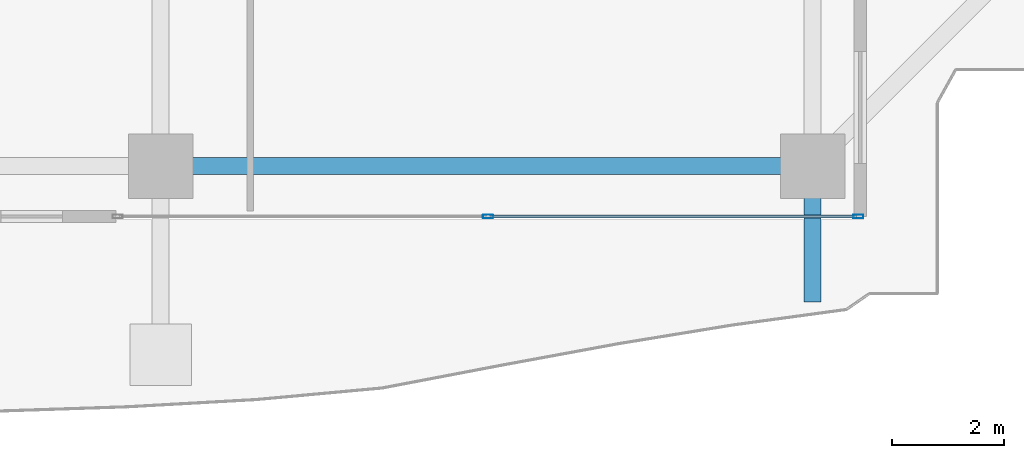
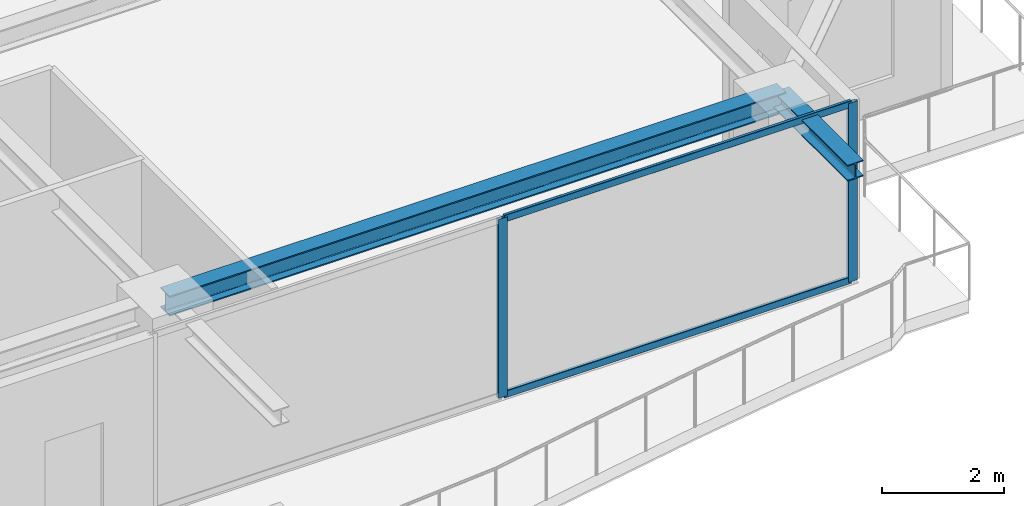
# One storey, part 12 of 36: 4 members, 2 beams, 1 element without a shape of its own.
"""IFC4 building model written with IfcOpenShell, lengths in metres."""

from ifc_helpers import new_model, si_unit, direction, frame, origin, origin_2d, place, context, subcontext, project, spatial, hollow_rectangle, i_section, extrude, source, transform, mapped, material, layer, layer_set, material_profile, profile_set, type_object, element, aggregate, save


model = new_model("IFC4")

# Units and contexts
model_context = context("Model", 3, precision=1e-05, world=origin(), true_north=direction((0.0, 1.0)))
body_context = subcontext(model_context, "Body", "Model", "MODEL_VIEW")
ifc_project = project(units=[si_unit("LENGTHUNIT", "METRE"), si_unit("AREAUNIT", "SQUARE_METRE"), si_unit("VOLUMEUNIT", "CUBIC_METRE"), si_unit("PLANEANGLEUNIT", "RADIAN"), si_unit("MASSUNIT", "GRAM", prefix="KILO")], contexts=[model_context])

# Site, building, storey
site_placement = place(None, origin())
site = spatial("IfcSite", under=ifc_project, at=site_placement, CompositionType="ELEMENT")
building_placement = place(site_placement, origin())
building = spatial("IfcBuilding", under=site, at=building_placement, Name="Serunith Strait Residences", CompositionType="ELEMENT")
storey_placement = place(building_placement, frame((0.0, 0.0, 256.64990234375)))
storey = spatial("IfcBuildingStorey", under=building, at=storey_placement, Name="L64", CompositionType="ELEMENT", Elevation=256.64990234375)

# Beams
ifc_material_1 = material(Name="Steel S355J2", Category="steel")
ifc_material_profile_1 = material_profile(ifc_material_1, i_section(OverallWidth=0.300048828125, OverallDepth=0.39990234375, WebThickness=0.013427734375, FlangeThickness=0.02392578125, FilletRadius=0.027099609375, at=origin_2d()), Name="HEB 400")
ifc_profile_set_1 = profile_set([ifc_material_profile_1], Name="Steel S355J2")
beam_type_1 = type_object("IfcBeamType", Name="BM-HEB400", PredefinedType="BEAM", material=ifc_profile_set_1)
shared_shape_1 = source(origin(), body_context, "Body", "SweptSolid", [
    extrude(i_section(OverallWidth=0.300048828125, OverallDepth=0.39990234375, WebThickness=0.013427734375, FlangeThickness=0.02392578125, FilletRadius=0.027099609375, at=origin_2d()), origin(), (0.0, 0.0, 1.0), 11.650146484375),
])
beam_1_placement = place(storey_placement, frame((36.89990234375, 2.10009765625, 3.38720703125), z_axis=(1.0, 0.0, 0.0), x_axis=(0.0, 1.0, 0.0)))
element("IfcBeam", 1, at=beam_1_placement, inside=storey, type_object=beam_type_1, Name="L64 Perimeter Ring Beam 03", PredefinedType="BEAM", context=body_context, shape_type="MappedRepresentation", body=[
    mapped(shared_shape_1, transform((0.0, 0.0, 0.0), scale=1.0)),
])
ifc_material_profile_2 = material_profile(ifc_material_1, i_section(OverallWidth=0.300048828125, OverallDepth=0.320068359375, WebThickness=0.011474609375, FlangeThickness=0.0205078125, FilletRadius=0.027099609375, at=origin_2d()), Name="HEB 320")
ifc_profile_set_2 = profile_set([ifc_material_profile_2], Name="Steel S355J2")
beam_type_2 = type_object("IfcBeamType", Name="BM-HEB320", PredefinedType="BEAM", material=ifc_profile_set_2)
shared_shape_2 = source(origin(), body_context, "Body", "SweptSolid", [
    extrude(i_section(OverallWidth=0.300048828125, OverallDepth=0.320068359375, WebThickness=0.011474609375, FlangeThickness=0.0205078125, FilletRadius=0.027099609375, at=origin_2d()), origin(), (0.0, 0.0, 1.0), 2.424560546875),
])
beam_2_placement = place(storey_placement, frame((48.550048828125, 2.10009765625, 3.397216796875), z_axis=(0.0, -1.0, 0.0), x_axis=(1.0, 0.0, 0.0)))
element("IfcBeam", 2, at=beam_2_placement, inside=storey, type_object=beam_type_2, Name="L65 Cantilevered Balcony Rib TC-S4", PredefinedType="BEAM", context=body_context, shape_type="MappedRepresentation", body=[
    mapped(shared_shape_2, transform((0.0, 0.0, 0.0), scale=1.0)),
])

# Curtain wall, members
ifc_material_2 = material(Name="Pale-Champagne Anodised Aluminium", Category="aluminium")
ifc_layer = layer(ifc_material_2, 0.199951171875, Name="Pale-Champagne Anodised Aluminium")
ifc_layer_set = layer_set([ifc_layer], Name="Pale-Champagne Anodised Aluminium")
curtain_wall_type = type_object("IfcCurtainWallType", Name="CW-SYS4", PredefinedType="NOTDEFINED", material=ifc_layer_set)
curtain_wall_placement = place(storey_placement, origin())
curtain_wall = element("IfcCurtainWall", 3, at=curtain_wall_placement, inside=storey, type_object=curtain_wall_type, Name="L64 S Unitised Fritted Curtain Wall", PredefinedType="NOTDEFINED")
ifc_material_profile_3 = material_profile(ifc_material_2, hollow_rectangle(XDim=0.06494140625, YDim=0.179931640625, WallThickness=0.00341796875, InnerFilletRadius=0.00537109375, OuterFilletRadius=0.0087890625, at=origin_2d()), Name="ALU 180x65x3.5")
ifc_profile_set_3 = profile_set([ifc_material_profile_3], Name="Pale-Champagne Anodised Aluminium")
member_type_1 = type_object("IfcMemberType", Name="CW-SYS4-MULL", PredefinedType="MULLION", material=ifc_profile_set_3)
shared_shape_3 = source(origin(), body_context, "Body", "SweptSolid", [
    extrude(hollow_rectangle(XDim=0.06494140625, YDim=0.179931640625, WallThickness=0.00341796875, InnerFilletRadius=0.00537109375, OuterFilletRadius=0.0087890625, at=origin_2d()), origin(), (0.0, 0.0, 1.0), 3.5751953125),
])
member_1_placement = place(storey_placement, frame((42.75, 1.199951171875, 0.0), z_axis=(0.0, 0.0, 1.0), x_axis=(0.0, 1.0, 0.0)))
member_1 = element("IfcMember", 4, at=member_1_placement, type_object=member_type_1, Name="CW-4 mullion 2", PredefinedType="MULLION", context=body_context, shape_type="MappedRepresentation", body=[
    mapped(shared_shape_3, transform((0.0, 0.0, 0.0), scale=1.0)),
])
member_2_placement = place(storey_placement, frame((49.367431640625, 1.199951171875, 0.0), z_axis=(0.0, 0.0, 1.0), x_axis=(0.0, 1.0, 0.0)))
member_2 = element("IfcMember", 5, at=member_2_placement, type_object=member_type_1, Name="CW-4 mullion 3", PredefinedType="MULLION", context=body_context, shape_type="MappedRepresentation", body=[
    mapped(shared_shape_3, transform((0.0, 0.0, 0.0), scale=1.0)),
])
ifc_material_profile_4 = material_profile(ifc_material_2, hollow_rectangle(XDim=0.06005859375, YDim=0.139892578125, WallThickness=0.00341796875, InnerFilletRadius=0.00537109375, OuterFilletRadius=0.0087890625, at=origin_2d()), Name="ALU 140x60x3.5")
ifc_profile_set_4 = profile_set([ifc_material_profile_4], Name="Pale-Champagne Anodised Aluminium")
member_type_2 = type_object("IfcMemberType", Name="CW-SYS4-TRAN", PredefinedType="USERDEFINED", material=ifc_profile_set_4)
shared_shape_4 = source(origin(), body_context, "Body", "SweptSolid", [
    extrude(hollow_rectangle(XDim=0.06005859375, YDim=0.139892578125, WallThickness=0.00341796875, InnerFilletRadius=0.00537109375, OuterFilletRadius=0.0087890625, at=origin_2d()), origin(), (0.0, 0.0, 1.0), 6.552490234375),
])
member_3_placement = place(storey_placement, frame((42.782470703125, 1.199951171875, 0.030029296875), z_axis=(1.0, 0.0, 0.0), x_axis=(0.0, 1.0, 0.0)))
member_3 = element("IfcMember", 6, at=member_3_placement, type_object=member_type_2, Name="CW-4 transom 2.1", ObjectType="TRANSOM", PredefinedType="USERDEFINED", context=body_context, shape_type="MappedRepresentation", body=[
    mapped(shared_shape_4, transform((0.0, 0.0, 0.0), scale=1.0)),
])
member_4_placement = place(storey_placement, frame((42.782470703125, 1.199951171875, 3.545166015625), z_axis=(1.0, 0.0, 0.0), x_axis=(0.0, 1.0, 0.0)))
member_4 = element("IfcMember", 7, at=member_4_placement, type_object=member_type_2, Name="CW-4 transom 2.2", ObjectType="TRANSOM", PredefinedType="USERDEFINED", context=body_context, shape_type="MappedRepresentation", body=[
    mapped(shared_shape_4, transform((0.0, 0.0, 0.0), scale=1.0)),
])
aggregate(curtain_wall, [member_1, member_2, member_3, member_4])

save(model, "model.ifc")
